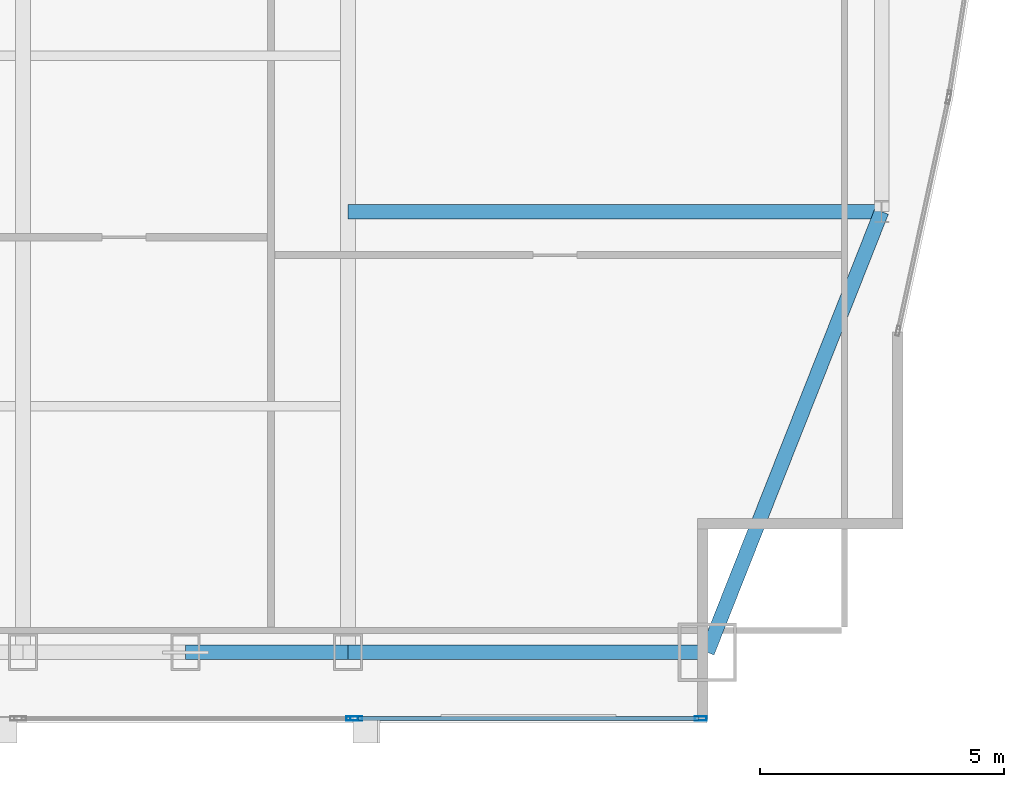
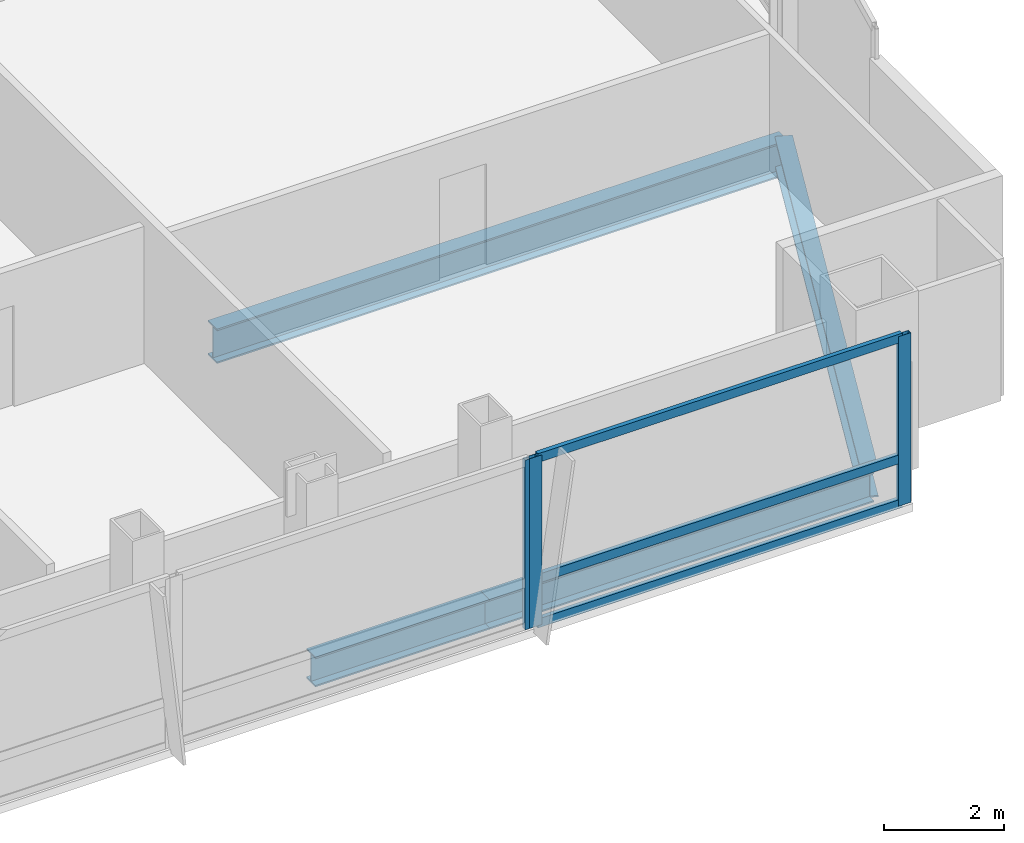
# One storey, part 14 of 30: 6 members, 4 beams, 2 elements without a shape of their own.
"""IFC4 building model written with IfcOpenShell, lengths in metres."""

from ifc_helpers import new_model, si_unit, direction, frame, origin, origin_2d, place, context, subcontext, project, spatial, hollow_rectangle, i_section, extrude, material, material_profile, profile_set, type_object, element, aggregate, save


model = new_model("IFC4")

# Units and contexts
model_context = context("Model", 3, precision=1e-05, world=origin(), true_north=direction((0.0, 1.0)))
body_context = subcontext(model_context, "Body", "Model", "MODEL_VIEW")
ifc_project = project(units=[si_unit("LENGTHUNIT", "METRE"), si_unit("AREAUNIT", "SQUARE_METRE"), si_unit("VOLUMEUNIT", "CUBIC_METRE"), si_unit("PLANEANGLEUNIT", "RADIAN"), si_unit("MASSUNIT", "GRAM", prefix="KILO")], contexts=[model_context])

# Site, building, storey
site_placement = place(None, origin())
site = spatial("IfcSite", under=ifc_project, at=site_placement, CompositionType="ELEMENT")
building_placement = place(site_placement, origin())
building = spatial("IfcBuilding", under=site, at=building_placement, Name="Khoronbel Lancet Exchange", CompositionType="ELEMENT")
storey_placement = place(building_placement, frame((0.0, 0.0, 217.39990234375)))
storey = spatial("IfcBuildingStorey", under=building, at=storey_placement, Name="L55", CompositionType="ELEMENT", Elevation=217.39990234375)

# Beams
ifc_material_1 = material(Name="Steel S355", Category="steel")
ifc_material_profile_1 = material_profile(ifc_material_1, i_section(OverallWidth=0.300048828125, OverallDepth=0.699951171875, WebThickness=0.01708984375, FlangeThickness=0.031982421875, at=origin_2d()), Name="HEB 700")
ifc_profile_set_1 = profile_set([ifc_material_profile_1], Name="Steel S355")
beam_type_1 = type_object("IfcBeamType", Name="BM-BG3", PredefinedType="BEAM", material=ifc_profile_set_1)
beam_1_placement = place(storey_placement, frame((54.675048828125, 19.199951171875, -0.510009765625), z_axis=(1.0, 0.0, 0.0), x_axis=(0.0, 1.0, 0.0)))
element("IfcBeam", 1, at=beam_1_placement, inside=storey, type_object=beam_type_1, Name="Level L55 east lens tie girder LG1E", PredefinedType="BEAM", context=body_context, shape_type="SweptSolid", body=[
    extrude(i_section(OverallWidth=0.300048828125, OverallDepth=0.699951171875, WebThickness=0.01708984375, FlangeThickness=0.031982421875, at=origin_2d()), origin(), (0.0, 0.0, 1.0), 10.954833984375),
])
ifc_material_profile_2 = material_profile(ifc_material_1, i_section(OverallWidth=0.300048828125, OverallDepth=0.60009765625, WebThickness=0.015380859375, FlangeThickness=0.030029296875, at=origin_2d()), Name="HEB 600")
ifc_profile_set_2 = profile_set([ifc_material_profile_2], Name="Steel S355")
beam_type_2 = type_object("IfcBeamType", Name="BM-BSP2", PredefinedType="SPANDREL", material=ifc_profile_set_2)
beam_2_placement = place(storey_placement, frame((51.33740234375, 10.14990234375, -0.4599609375), z_axis=(1.0, 0.0, 0.0), x_axis=(0.0, 1.0, 0.0)))
element("IfcBeam", 2, at=beam_2_placement, inside=storey, type_object=beam_type_2, Name="Level L55 perimeter spandrel beam SP08", PredefinedType="SPANDREL", context=body_context, shape_type="SweptSolid", body=[
    extrude(i_section(OverallWidth=0.300048828125, OverallDepth=0.60009765625, WebThickness=0.015380859375, FlangeThickness=0.030029296875, at=origin_2d()), origin(), (0.0, 0.0, 1.0), 3.337646484375),
])
beam_3_placement = place(storey_placement, frame((54.675048828125, 10.14990234375, -0.4599609375), z_axis=(1.0, 0.0, 0.0), x_axis=(0.0, 1.0, 0.0)))
element("IfcBeam", 3, at=beam_3_placement, inside=storey, type_object=beam_type_2, Name="Level L55 perimeter spandrel beam SP09", PredefinedType="SPANDREL", context=body_context, shape_type="SweptSolid", body=[
    extrude(i_section(OverallWidth=0.300048828125, OverallDepth=0.60009765625, WebThickness=0.015380859375, FlangeThickness=0.030029296875, at=origin_2d()), origin(), (0.0, 0.0, 1.0), 7.375),
])
beam_4_placement = place(storey_placement, frame((62.050048828125, 10.14990234375, -0.4599609375), z_axis=(0.367828403855, 0.929893684954, 0.0), x_axis=(-0.929893684954, 0.367828403855, 0.0)))
element("IfcBeam", 4, at=beam_4_placement, inside=storey, type_object=beam_type_2, Name="Level L55 perimeter spandrel beam SP10", PredefinedType="SPANDREL", context=body_context, shape_type="SweptSolid", body=[
    extrude(i_section(OverallWidth=0.300048828125, OverallDepth=0.60009765625, WebThickness=0.015380859375, FlangeThickness=0.030029296875, at=origin_2d()), origin(), (0.0, 0.0, 1.0), 9.732421875),
])

# Curtain wall, member
ifc_material_2 = material(Name="Low-E Solar Control Insulating Glass", Category="glass")
curtain_wall_type = type_object("IfcCurtainWallType", Name="CW-3", PredefinedType="NOTDEFINED", material=ifc_material_2)
curtain_wall_1_placement = place(storey_placement, origin())
curtain_wall_1 = element("IfcCurtainWall", 5, at=curtain_wall_1_placement, inside=storey, type_object=curtain_wall_type, Name="Unitised curtain wall CW-L55-SEB", PredefinedType="NOTDEFINED")
ifc_material_3 = material(Name="Bronze-Anodised Aluminium 6063-T6", Category="aluminium")
ifc_material_profile_3 = material_profile(ifc_material_3, hollow_rectangle(XDim=0.0849609375, YDim=0.239990234375, WallThickness=0.006103515625, at=origin_2d()), Name="ALU MULLION 85x240")
ifc_profile_set_3 = profile_set([ifc_material_profile_3], Name="Bronze-Anodised Aluminium 6063-T6")
member_type_1 = type_object("IfcMemberType", Name="MEM-CWM1", PredefinedType="MULLION", material=ifc_profile_set_3)
member_1_placement = place(storey_placement, frame((54.757568359375, 8.7900390625, 0.0), z_axis=(0.0, 0.0, 1.0), x_axis=(0.0, 1.0, 0.0)))
member_1 = element("IfcMember", 6, at=member_1_placement, type_object=member_type_1, Name="CW3 mullion 2", PredefinedType="MULLION", context=body_context, shape_type="SweptSolid", body=[
    extrude(hollow_rectangle(XDim=0.0849609375, YDim=0.239990234375, WallThickness=0.006103515625, at=origin_2d()), origin(), (0.0, 0.0, 1.0), 3.440185546875),
])
aggregate(curtain_wall_1, [member_1])

# Curtain wall, members
curtain_wall_2_placement = place(storey_placement, origin())
curtain_wall_2 = element("IfcCurtainWall", 7, at=curtain_wall_2_placement, inside=storey, type_object=curtain_wall_type, Name="Unitised curtain wall CW-L55-SEV", PredefinedType="NOTDEFINED")
member_2_placement = place(storey_placement, frame((54.842529296875, 8.7900390625, 0.0), z_axis=(0.0, 0.0, 1.0), x_axis=(0.0, 1.0, 0.0)))
member_2 = element("IfcMember", 8, at=member_2_placement, type_object=member_type_1, Name="CW3 mullion 1", PredefinedType="MULLION", context=body_context, shape_type="SweptSolid", body=[
    extrude(hollow_rectangle(XDim=0.0849609375, YDim=0.239990234375, WallThickness=0.006103515625, at=origin_2d()), origin(), (0.0, 0.0, 1.0), 3.440185546875),
])
member_3_placement = place(storey_placement, frame((61.91748046875, 8.7900390625, 0.0), z_axis=(0.0, 0.0, 1.0), x_axis=(0.0, 1.0, 0.0)))
member_3 = element("IfcMember", 9, at=member_3_placement, type_object=member_type_1, Name="CW3 mullion 2", PredefinedType="MULLION", context=body_context, shape_type="SweptSolid", body=[
    extrude(hollow_rectangle(XDim=0.0849609375, YDim=0.239990234375, WallThickness=0.006103515625, at=origin_2d()), origin(), (0.0, 0.0, 1.0), 3.440185546875),
])
ifc_material_profile_4 = material_profile(ifc_material_3, hollow_rectangle(XDim=0.0849609375, YDim=0.179931640625, WallThickness=0.0048828125, at=origin_2d()), Name="ALU TRANSOM 85x180")
ifc_profile_set_4 = profile_set([ifc_material_profile_4], Name="Bronze-Anodised Aluminium 6063-T6")
member_type_2 = type_object("IfcMemberType", Name="MEM-CWT1", PredefinedType="USERDEFINED", material=ifc_profile_set_4)
member_4_placement = place(storey_placement, frame((54.885009765625, 8.7900390625, 0.04248046875), z_axis=(1.0, 0.0, 0.0), x_axis=(0.0, 1.0, 0.0)))
member_4 = element("IfcMember", 10, at=member_4_placement, type_object=member_type_2, Name="CW3 transom 1.1", ObjectType="TRANSOM", PredefinedType="USERDEFINED", context=body_context, shape_type="SweptSolid", body=[
    extrude(hollow_rectangle(XDim=0.0849609375, YDim=0.179931640625, WallThickness=0.0048828125, at=origin_2d()), origin(), (0.0, 0.0, 1.0), 6.989990234375),
])
member_5_placement = place(storey_placement, frame((54.885009765625, 8.7900390625, 0.9501953125), z_axis=(1.0, 0.0, 0.0), x_axis=(0.0, 1.0, 0.0)))
member_5 = element("IfcMember", 11, at=member_5_placement, type_object=member_type_2, Name="CW3 transom 1.2", ObjectType="TRANSOM", PredefinedType="USERDEFINED", context=body_context, shape_type="SweptSolid", body=[
    extrude(hollow_rectangle(XDim=0.0849609375, YDim=0.179931640625, WallThickness=0.0048828125, at=origin_2d()), origin(), (0.0, 0.0, 1.0), 6.989990234375),
])
member_6_placement = place(storey_placement, frame((54.885009765625, 8.7900390625, 3.397705078125), z_axis=(1.0, 0.0, 0.0), x_axis=(0.0, 1.0, 0.0)))
member_6 = element("IfcMember", 12, at=member_6_placement, type_object=member_type_2, Name="CW3 transom 1.3", ObjectType="TRANSOM", PredefinedType="USERDEFINED", context=body_context, shape_type="SweptSolid", body=[
    extrude(hollow_rectangle(XDim=0.0849609375, YDim=0.179931640625, WallThickness=0.0048828125, at=origin_2d()), origin(), (0.0, 0.0, 1.0), 6.989990234375),
])
aggregate(curtain_wall_2, [member_2, member_3, member_4, member_5, member_6])

save(model, "model.ifc")
